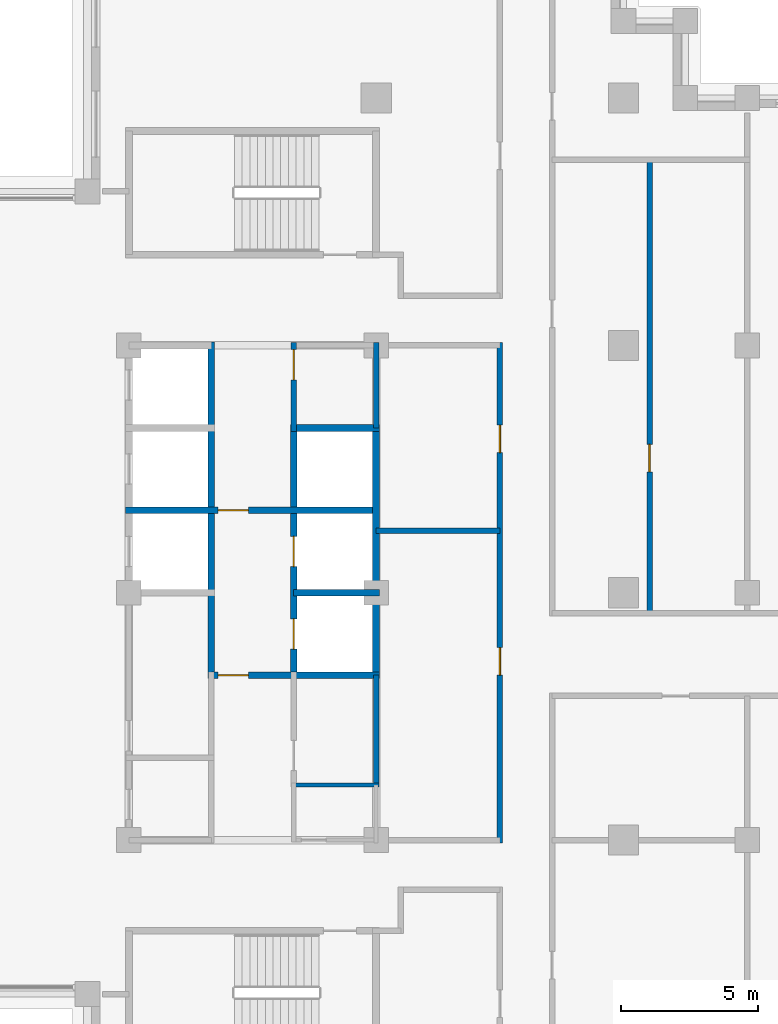
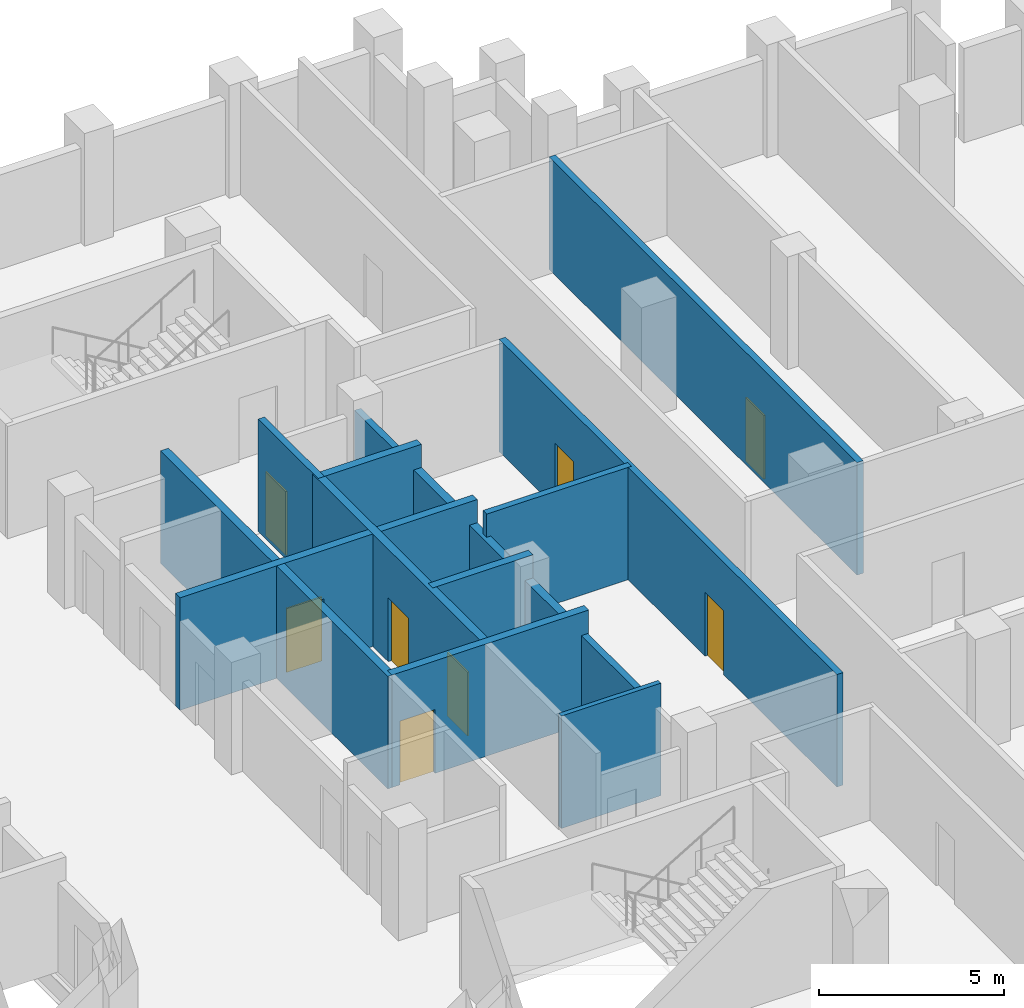
# One storey, part 9 of 16: 14 walls, 8 doors, 8 openings.
"""IFC4 building model written with IfcOpenShell, lengths in metres."""

import ifcopenshell
import ifcopenshell.guid

model = None  # the IFC model being written
_history = None  # IfcOwnerHistory: only IFC2X3 demands one
_inside = {}  # id of a spatial element -> (the spatial element, [elements in it])
_under = {}  # id of a project, library or spatial element -> (it, [spatial elements below it])
_declared = {}  # id of a project -> (the project, [libraries it declares])
_typed = {}  # id of a type object -> (the type object, [elements of that type])
_made_of = {}  # id of a material, layer set ... -> (it, [elements and type objects made of it])


def new_model(schema):
    """Start an empty IFC model of exactly this schema.

    Asked for "IFC4X3", IfcOpenShell would pick the latest addendum, in which some entities
    have other attributes; the version numbers below select the first issue.
    IFC2X3 requires an IfcOwnerHistory on every rooted entity: one is made here for all.
    """
    global model, _history
    if schema == "IFC4X3":
        model = ifcopenshell.file(schema_version=(4, 3, 0, 0))
    else:
        model = ifcopenshell.file(schema=schema)
    _inside.clear()
    _under.clear()
    _declared.clear()
    _typed.clear()
    _made_of.clear()
    _history = None
    if model.schema == "IFC2X3":
        org = make("IfcOrganization", Name="unknown")
        user = make(
            "IfcPersonAndOrganization",
            ThePerson=make("IfcPerson", FamilyName="unknown"),
            TheOrganization=org,
        )
        app = make(
            "IfcApplication",
            ApplicationDeveloper=org,
            Version="unknown",
            ApplicationFullName="unknown",
            ApplicationIdentifier="unknown",
        )
        _history = make(
            "IfcOwnerHistory",
            OwningUser=user,
            OwningApplication=app,
            ChangeAction="ADDED",
            CreationDate=0,
        )
    return model


def make(cls, **values):
    """One entity of the class cls with the attributes given. An attribute that is None is left unset."""
    return model.create_entity(
        cls, **{name: value for name, value in values.items() if value is not None}
    )


def rooted(cls, **values):
    """An entity with a GlobalId (a new one), such as an element, a storey or a relation."""
    return make(cls, GlobalId=ifcopenshell.guid.new(), OwnerHistory=_history, **values)


def si_unit(unit_type, name, prefix=None):
    """IfcSIUnit, for example si_unit("LENGTHUNIT", "METRE", prefix="MILLI")."""
    return make("IfcSIUnit", UnitType=unit_type, Prefix=prefix, Name=name)


def assignment(units):
    """IfcUnitAssignment: the units of a project."""
    return None if units is None else make("IfcUnitAssignment", Units=units)


def point(xyz):
    """IfcCartesianPoint."""
    return None if xyz is None else make("IfcCartesianPoint", Coordinates=xyz)


def direction(xyz):
    """IfcDirection."""
    return None if xyz is None else make("IfcDirection", DirectionRatios=xyz)


def frame(location, z_axis=None, x_axis=None):
    """IfcAxis2Placement3D, a coordinate frame: its origin and axes. An axis left out is left unset."""
    return make(
        "IfcAxis2Placement3D",
        Location=point(location),
        Axis=direction(z_axis),
        RefDirection=direction(x_axis),
    )


def frame_2d(location, x_axis=None):
    """IfcAxis2Placement2D, a coordinate frame in the plane: its origin and x axis."""
    return make(
        "IfcAxis2Placement2D", Location=point(location), RefDirection=direction(x_axis)
    )


def origin():
    """The frame at (0, 0, 0) with its axes left unset."""
    return frame((0.0, 0.0, 0.0))


def place(relative_to, where):
    """IfcLocalPlacement: puts the frame where relative to a parent placement (None: the world)."""
    return make(
        "IfcLocalPlacement", PlacementRelTo=relative_to, RelativePlacement=where
    )


def context(
    kind, dimensions, precision=None, world=None, true_north=None, identifier=None
):
    """IfcGeometricRepresentationContext, for example the 3D "Model" context."""
    return make(
        "IfcGeometricRepresentationContext",
        ContextIdentifier=identifier,
        ContextType=kind,
        CoordinateSpaceDimension=dimensions,
        Precision=precision,
        WorldCoordinateSystem=world,
        TrueNorth=true_north,
    )


def subcontext(parent, identifier, kind, view, scale=None):
    """IfcGeometricRepresentationSubContext, for example "Body" below "Model"."""
    return make(
        "IfcGeometricRepresentationSubContext",
        ContextIdentifier=identifier,
        ContextType=kind,
        ParentContext=parent,
        TargetScale=scale,
        TargetView=view,
    )


def project(units=None, contexts=None):
    """IfcProject with its units and contexts."""
    return rooted(
        "IfcProject",
        Name="project",
        RepresentationContexts=contexts,
        UnitsInContext=assignment(units),
    )


def spatial(cls, under=None, at=None, **own):
    """A site, building, storey or space (cls), placed at a placement, below another one or the project."""
    s = rooted(cls, ObjectPlacement=at, **own)
    if under is not None:
        _under.setdefault(under.id(), (under, []))[1].append(s)
    return s


def profile(cls, at=None, kind="AREA", **sizes):
    """A parametric profile (cls). Its sizes go by their IFC names, for example OverallWidth=200.0."""
    return make(cls, ProfileType=kind, Position=at, **sizes)


def rectangle(**sizes):
    """IfcRectangleProfileDef."""
    return profile("IfcRectangleProfileDef", **sizes)


def extrude(swept, where, along, depth):
    """IfcExtrudedAreaSolid: the profile swept, set in the frame where, extruded along a direction by depth."""
    return make(
        "IfcExtrudedAreaSolid",
        SweptArea=swept,
        Position=where,
        ExtrudedDirection=direction(along),
        Depth=depth,
    )


def shape(context_of_items, identifier, shape_type, items):
    """IfcShapeRepresentation: the items that make up one representation, for example the "Body"."""
    return make(
        "IfcShapeRepresentation",
        ContextOfItems=context_of_items,
        RepresentationIdentifier=identifier,
        RepresentationType=shape_type,
        Items=items,
    )


def material(Name=None, Category=None):
    """IfcMaterial."""
    return make("IfcMaterial", Name=Name, Category=Category)


def layer(
    of_material, thickness, ventilated=None, Name=None, Category=None, Priority=None
):
    """IfcMaterialLayer: one layer of a wall or slab, of a material (None: an air gap)."""
    return make(
        "IfcMaterialLayer",
        Material=of_material,
        LayerThickness=thickness,
        IsVentilated=ventilated,
        Name=Name,
        Category=Category,
        Priority=Priority,
    )


def layer_set(layers, Name=None):
    """IfcMaterialLayerSet."""
    return make("IfcMaterialLayerSet", MaterialLayers=layers, LayerSetName=Name)


def made_of(thing, what):
    """Note that an element or type object is made of a material, layer set ...; save() writes the relation."""
    if what is not None:
        _made_of.setdefault(what.id(), (what, []))[1].append(thing)
    return thing


def type_object(cls, material=None, **own):
    """A type object (cls), such as IfcWallType, which elements share."""
    return made_of(rooted(cls, **own), material)


def element(
    cls,
    number,
    at=None,
    inside=None,
    cuts=None,
    type_object=None,
    material=None,
    context=None,
    identifier="Body",
    shape_type=None,
    held_by="IfcProductDefinitionShape",
    body=None,
    shapes=None,
    **own,
):
    """One element of the class cls, such as IfcWall. Its Tag is "e" and its number.

    at: its placement. inside: the storey or other place that contains it. cuts: it is an
    opening in that element (IfcRelVoidsElement). A single representation is given by context,
    identifier, shape_type and body (its items); several are given by shapes. held_by: the class
    of the entity that holds the representations. save() writes the other relations.
    """
    e = rooted(cls, Tag="e%d" % number, ObjectPlacement=at, **own)
    if body is not None:
        shapes = [shape(context, identifier, shape_type, body)]
    if shapes is not None:
        e.Representation = make(held_by, Representations=shapes)
    if inside is not None:
        _inside.setdefault(inside.id(), (inside, []))[1].append(e)
    if cuts is not None:
        rooted(
            "IfcRelVoidsElement", RelatingBuildingElement=cuts, RelatedOpeningElement=e
        )
    if type_object is not None:
        _typed.setdefault(type_object.id(), (type_object, []))[1].append(e)
    return made_of(e, material)


def fill(opening, filler):
    """IfcRelFillsElement: the door or window that sits in an opening."""
    return rooted(
        "IfcRelFillsElement",
        RelatingOpeningElement=opening,
        RelatedBuildingElement=filler,
    )


def aggregate(whole, parts):
    """IfcRelAggregates: a whole, such as a stair, and the parts it consists of."""
    return rooted("IfcRelAggregates", RelatingObject=whole, RelatedObjects=parts)


def save(model, path):
    """Write the relations noted so far, then the file.

    IfcRelAggregates (storeys below a building ...), IfcRelContainedInSpatialStructure (elements
    in a storey), IfcRelDefinesByType, IfcRelAssociatesMaterial and IfcRelDeclares: one each for
    every whole, place, type object, material and project.
    """
    for whole, parts in _under.values():
        aggregate(whole, parts)
    for where, things in _inside.values():
        rooted(
            "IfcRelContainedInSpatialStructure",
            RelatedElements=things,
            RelatingStructure=where,
        )
    for kind, things in _typed.values():
        rooted("IfcRelDefinesByType", RelatedObjects=things, RelatingType=kind)
    for what, things in _made_of.values():
        rooted("IfcRelAssociatesMaterial", RelatedObjects=things, RelatingMaterial=what)
    for by, libraries in _declared.values():
        rooted("IfcRelDeclares", RelatingContext=by, RelatedDefinitions=libraries)
    model.write(path)


model = new_model("IFC4")

# Units and contexts
model_context = context("Model", 3, precision=1e-05, world=origin(), true_north=direction((0.0, 1.0)))
body_context = subcontext(model_context, "Body", "Model", "MODEL_VIEW")
ifc_project = project(units=[si_unit("LENGTHUNIT", "METRE"), si_unit("AREAUNIT", "SQUARE_METRE"), si_unit("VOLUMEUNIT", "CUBIC_METRE"), si_unit("PLANEANGLEUNIT", "RADIAN"), si_unit("MASSUNIT", "GRAM", prefix="KILO")], contexts=[model_context])

# Site, building, storey
site_placement = place(None, origin())
site = spatial("IfcSite", under=ifc_project, at=site_placement, CompositionType="ELEMENT")
building_placement = place(site_placement, origin())
building = spatial("IfcBuilding", under=site, at=building_placement, Name="Corbelhall Arena Tower", CompositionType="ELEMENT")
storey_placement = place(building_placement, frame((0.0, 0.0, 150.0)))
storey = spatial("IfcBuildingStorey", under=building, at=storey_placement, Name="L29", CompositionType="ELEMENT", Elevation=150.0)

# Wall
ifc_material_1 = material(Name="Gypsum board on steel stud, acoustic", Category="steel")
ifc_layer_1 = layer(ifc_material_1, 0.199951171875)
ifc_layer_set_1 = layer_set([ifc_layer_1], Name="IN-W-DM200")
wall_type_1 = type_object("IfcWallType", Name="IN-W-DM200", PredefinedType="PARTITIONING", material=ifc_layer_set_1)
wall_1_placement = place(storey_placement, frame((13.5, 2.25, 0.0), z_axis=(0.0, 0.0, 1.0), x_axis=(1.0, 0.0, 0.0)))
element("IfcWall", 1, at=wall_1_placement, inside=storey, type_object=wall_type_1, Name="Partition 039", PredefinedType="PARTITIONING", context=body_context, shape_type="SweptSolid", body=[
    extrude(rectangle(XDim=4.5, YDim=0.199951171875, at=frame_2d((2.25, 0.0))), origin(), (0.0, 0.0, 1.0), 3.699951171875),
])

# Wall, openings, doors
wall_2_placement = place(storey_placement, frame((18.0, -9.10009765625, 0.0), z_axis=(0.0, 0.0, 1.0), x_axis=(0.0, 1.0, 0.0)))
wall_2 = element("IfcWall", 2, at=wall_2_placement, inside=storey, type_object=wall_type_1, Name="Partition 047", PredefinedType="PARTITIONING", context=body_context, shape_type="SweptSolid", body=[
    extrude(rectangle(XDim=18.2001953125, YDim=0.199951171875, at=frame_2d((9.10009765625, 0.0))), origin(), (0.0, 0.0, 1.0), 3.699951171875),
])
opening_1_placement = place(wall_2_placement, frame((6.10009765625, 0.0, 0.0)))
opening_1 = element("IfcOpeningElement", 3, at=opening_1_placement, cuts=wall_2, Name="Opening 08025", PredefinedType="OPENING", context=body_context, shape_type="SweptSolid", body=[
    extrude(rectangle(XDim=1.0, YDim=2.10009765625, at=frame_2d((0.5, 1.050048828125))), frame((0.0, 0.10009765625, 0.0), z_axis=(0.0, -1.0, 0.0), x_axis=(1.0, 0.0, 0.0)), (0.0, 0.0, 1.0), 0.199951171875),
])
opening_2_placement = place(wall_2_placement, frame((14.199951171875, 0.0, 0.0)))
opening_2 = element("IfcOpeningElement", 4, at=opening_2_placement, cuts=wall_2, Name="Opening 08026", PredefinedType="OPENING", context=body_context, shape_type="SweptSolid", body=[
    extrude(rectangle(XDim=1.0, YDim=2.10009765625, at=frame_2d((0.5, 1.050048828125))), frame((0.0, 0.10009765625, 0.0), z_axis=(0.0, -1.0, 0.0), x_axis=(1.0, 0.0, 0.0)), (0.0, 0.0, 1.0), 0.199951171875),
])
ifc_material_2 = material(Name="Steel door set", Category="steel")
door_type_1 = type_object("IfcDoorType", Name="IN-D-SW100", OperationType="NOTDEFINED", PredefinedType="DOOR", material=ifc_material_2)
door_1_placement = place(opening_1_placement, origin())
door_1 = element("IfcDoor", 5, at=door_1_placement, inside=storey, type_object=door_type_1, Name="Door 025", OperationType="SINGLE_SWING_RIGHT", OverallHeight=2.10009765625, OverallWidth=1.0, PredefinedType="DOOR", context=body_context, shape_type="SweptSolid", body=[
    extrude(rectangle(XDim=1.0, YDim=2.10009765625, at=frame_2d((0.5, 1.050048828125))), frame((0.0, 0.02490234375, 0.0), z_axis=(0.0, -1.0, 0.0), x_axis=(1.0, 0.0, 0.0)), (0.0, 0.0, 1.0), 0.050048828125),
])
fill(opening_1, door_1)
door_2_placement = place(opening_2_placement, origin())
door_2 = element("IfcDoor", 6, at=door_2_placement, inside=storey, type_object=door_type_1, Name="Door 026", OperationType="SINGLE_SWING_LEFT", OverallHeight=2.10009765625, OverallWidth=1.0, PredefinedType="DOOR", context=body_context, shape_type="SweptSolid", body=[
    extrude(rectangle(XDim=1.0, YDim=2.10009765625, at=frame_2d((0.5, 1.050048828125))), frame((0.0, 0.02490234375, 0.0), z_axis=(0.0, -1.0, 0.0), x_axis=(1.0, 0.0, 0.0)), (0.0, 0.0, 1.0), 0.050048828125),
])
fill(opening_2, door_2)

# Wall, opening, door
wall_3_placement = place(storey_placement, frame((23.449951171875, 15.85009765625, 0.0), z_axis=(0.0, 0.0, 1.0), x_axis=(0.0, -1.0, 0.0)))
wall_3 = element("IfcWall", 7, at=wall_3_placement, inside=storey, type_object=wall_type_1, Name="Partition 055", PredefinedType="PARTITIONING", context=body_context, shape_type="SweptSolid", body=[
    extrude(rectangle(XDim=16.60009765625, YDim=0.199951171875, at=frame_2d((8.300048828125, 0.0))), origin(), (0.0, 0.0, 1.0), 3.699951171875),
])
opening_3_placement = place(wall_3_placement, frame((10.449951171875, 0.0, 0.0)))
opening_3 = element("IfcOpeningElement", 8, at=opening_3_placement, cuts=wall_3, Name="Opening 08037", PredefinedType="OPENING", context=body_context, shape_type="SweptSolid", body=[
    extrude(rectangle(XDim=1.0, YDim=2.10009765625, at=frame_2d((0.5, 1.050048828125))), frame((0.0, 0.10009765625, 0.0), z_axis=(0.0, -1.0, 0.0), x_axis=(1.0, 0.0, 0.0)), (0.0, 0.0, 1.0), 0.199951171875),
])
door_3_placement = place(opening_3_placement, origin())
door_3 = element("IfcDoor", 9, at=door_3_placement, inside=storey, type_object=door_type_1, Name="Door 037", OperationType="SINGLE_SWING_RIGHT", OverallHeight=2.10009765625, OverallWidth=1.0, PredefinedType="DOOR", context=body_context, shape_type="SweptSolid", body=[
    extrude(rectangle(XDim=1.0, YDim=2.10009765625, at=frame_2d((0.5, 1.050048828125))), frame((0.0, 0.02490234375, 0.0), z_axis=(0.0, -1.0, 0.0), x_axis=(1.0, 0.0, 0.0)), (0.0, 0.0, 1.0), 0.050048828125),
])
fill(opening_3, door_3)

ifc_material_3 = material(Name="Concrete block wall", Category="concrete")
ifc_layer_2 = layer(ifc_material_3, 0.199951171875)
ifc_layer_set_2 = layer_set([ifc_layer_2], Name="IN-W-RS200")
wall_type_2 = type_object("IfcWallType", Name="IN-W-RS200", PredefinedType="SOLIDWALL", material=ifc_layer_set_2)
wall_4_placement = place(storey_placement, frame((10.5, 9.10009765625, 0.0), z_axis=(0.0, 0.0, 1.0), x_axis=(0.0, -1.0, 0.0)))
wall_4 = element("IfcWall", 10, at=wall_4_placement, inside=storey, type_object=wall_type_2, Name="Partition 077", PredefinedType="SOLIDWALL", context=body_context, shape_type="SweptSolid", body=[
    extrude(rectangle(XDim=3.22509765625, YDim=0.199951171875, at=frame_2d((1.612548828125, 0.0))), origin(), (0.0, 0.0, 1.0), 3.699951171875),
])
opening_4_placement = place(wall_4_placement, frame((0.25, 0.0, 0.0)))
opening_4 = element("IfcOpeningElement", 11, at=opening_4_placement, cuts=wall_4, Name="Opening 08014", PredefinedType="OPENING", context=body_context, shape_type="SweptSolid", body=[
    extrude(rectangle(XDim=1.10009765625, YDim=2.10009765625, at=frame_2d((0.550048828125, 1.050048828125))), frame((0.0, 0.10009765625, 0.0), z_axis=(0.0, -1.0, 0.0), x_axis=(1.0, 0.0, 0.0)), (0.0, 0.0, 1.0), 0.199951171875),
])
door_type_2 = type_object("IfcDoorType", Name="IN-D-FD110", OperationType="NOTDEFINED", PredefinedType="DOOR", material=ifc_material_2)
door_4_placement = place(opening_4_placement, origin())
door_4 = element("IfcDoor", 12, at=door_4_placement, inside=storey, type_object=door_type_2, Name="Door 014", OperationType="SINGLE_SWING_LEFT", OverallHeight=2.10009765625, OverallWidth=1.10009765625, PredefinedType="DOOR", context=body_context, shape_type="SweptSolid", body=[
    extrude(rectangle(XDim=1.10009765625, YDim=2.10009765625, at=frame_2d((0.550048828125, 1.050048828125))), frame((0.0, 0.02490234375, 0.0), z_axis=(0.0, -1.0, 0.0), x_axis=(1.0, 0.0, 0.0)), (0.0, 0.0, 1.0), 0.050048828125),
])
fill(opening_4, door_4)

# Walls
ifc_layer_3 = layer(ifc_material_3, 0.199951171875)
ifc_layer_set_3 = layer_set([ifc_layer_3], Name="IN-W-RS200 under beam 762 mm")
wall_type_3 = type_object("IfcWallType", Name="IN-W-RS200 under beam 762 mm", PredefinedType="SOLIDWALL", material=ifc_layer_set_3)
wall_5_placement = place(storey_placement, frame((13.5, -3.0, 0.0), z_axis=(0.0, 0.0, 1.0), x_axis=(0.0, -1.0, 0.0)))
element("IfcWall", 13, at=wall_5_placement, inside=storey, type_object=wall_type_3, Name="Partition 078", PredefinedType="SOLIDWALL", context=body_context, shape_type="SweptSolid", body=[
    extrude(rectangle(XDim=4.0, YDim=0.199951171875, at=frame_2d((2.0, 0.0))), origin(), (0.0, 0.0, 1.0), 2.93798828125),
])
wall_6_placement = place(storey_placement, frame((13.5, 9.10009765625, 0.0), z_axis=(0.0, 0.0, 1.0), x_axis=(0.0, -1.0, 0.0)))
element("IfcWall", 14, at=wall_6_placement, inside=storey, type_object=wall_type_3, Name="Partition 079", PredefinedType="SOLIDWALL", context=body_context, shape_type="SweptSolid", body=[
    extrude(rectangle(XDim=3.10009765625, YDim=0.199951171875, at=frame_2d((1.550048828125, 0.0))), origin(), (0.0, 0.0, 1.0), 2.93798828125),
])

# Wall, opening, door
ifc_material_4 = material(Name="Concrete C40/50", Category="concrete")
ifc_layer_4 = layer(ifc_material_4, 0.25)
ifc_layer_set_4 = layer_set([ifc_layer_4], Name="IN-W-SH250")
wall_type_4 = type_object("IfcWallType", Name="IN-W-SH250", PredefinedType="SOLIDWALL", material=ifc_layer_set_4)
wall_7_placement = place(storey_placement, frame((4.375, 3.0, 0.0), z_axis=(0.0, 0.0, 1.0), x_axis=(1.0, 0.0, 0.0)))
wall_7 = element("IfcWall", 15, at=wall_7_placement, inside=storey, type_object=wall_type_4, Name="Shaft wall 091", PredefinedType="SOLIDWALL", context=body_context, shape_type="SweptSolid", body=[
    extrude(rectangle(XDim=9.25, YDim=0.25, at=frame_2d((4.625, 0.0))), origin(), (0.0, 0.0, 1.0), 3.699951171875),
])
opening_5_placement = place(wall_7_placement, frame((3.375, 0.0, 0.0)))
opening_5 = element("IfcOpeningElement", 16, at=opening_5_placement, cuts=wall_7, Name="Opening 08011", PredefinedType="OPENING", context=body_context, shape_type="SweptSolid", body=[
    extrude(rectangle(XDim=1.10009765625, YDim=2.10009765625, at=frame_2d((0.550048828125, 1.050048828125))), frame((0.0, 0.125, 0.0), z_axis=(0.0, -1.0, 0.0), x_axis=(1.0, 0.0, 0.0)), (0.0, 0.0, 1.0), 0.25),
])
door_5_placement = place(opening_5_placement, origin())
door_5 = element("IfcDoor", 17, at=door_5_placement, inside=storey, type_object=door_type_2, Name="Door 011", OperationType="SINGLE_SWING_RIGHT", OverallHeight=2.10009765625, OverallWidth=1.10009765625, PredefinedType="DOOR", context=body_context, shape_type="SweptSolid", body=[
    extrude(rectangle(XDim=1.10009765625, YDim=2.10009765625, at=frame_2d((0.550048828125, 1.050048828125))), frame((0.0, 0.02490234375, 0.0), z_axis=(0.0, -1.0, 0.0), x_axis=(1.0, 0.0, 0.0)), (0.0, 0.0, 1.0), 0.050048828125),
])
fill(opening_5, door_5)

wall_8_placement = place(storey_placement, frame((7.5, -3.0, 0.0), z_axis=(0.0, 0.0, 1.0), x_axis=(1.0, 0.0, 0.0)))
wall_8 = element("IfcWall", 18, at=wall_8_placement, inside=storey, type_object=wall_type_4, Name="Shaft wall 095", PredefinedType="SOLIDWALL", context=body_context, shape_type="SweptSolid", body=[
    extrude(rectangle(XDim=6.125, YDim=0.25, at=frame_2d((3.0625, 0.0))), origin(), (0.0, 0.0, 1.0), 3.699951171875),
])
opening_6_placement = place(wall_8_placement, frame((0.25, 0.0, 0.0)))
opening_6 = element("IfcOpeningElement", 19, at=opening_6_placement, cuts=wall_8, Name="Opening 08010", PredefinedType="OPENING", context=body_context, shape_type="SweptSolid", body=[
    extrude(rectangle(XDim=1.10009765625, YDim=2.10009765625, at=frame_2d((0.550048828125, 1.050048828125))), frame((0.0, 0.125, 0.0), z_axis=(0.0, -1.0, 0.0), x_axis=(1.0, 0.0, 0.0)), (0.0, 0.0, 1.0), 0.25),
])
door_6_placement = place(opening_6_placement, origin())
door_6 = element("IfcDoor", 20, at=door_6_placement, inside=storey, type_object=door_type_2, Name="Door 010", OperationType="SINGLE_SWING_LEFT", OverallHeight=2.10009765625, OverallWidth=1.10009765625, PredefinedType="DOOR", context=body_context, shape_type="SweptSolid", body=[
    extrude(rectangle(XDim=1.10009765625, YDim=2.10009765625, at=frame_2d((0.550048828125, 1.050048828125))), frame((0.0, 0.02490234375, 0.0), z_axis=(0.0, -1.0, 0.0), x_axis=(1.0, 0.0, 0.0)), (0.0, 0.0, 1.0), 0.050048828125),
])
fill(opening_6, door_6)

# Walls
wall_9_placement = place(storey_placement, frame((7.5, 9.125, 0.0), z_axis=(0.0, 0.0, 1.0), x_axis=(0.0, -1.0, 0.0)))
element("IfcWall", 21, at=wall_9_placement, inside=storey, type_object=wall_type_4, Name="Shaft wall 096", PredefinedType="SOLIDWALL", context=body_context, shape_type="SweptSolid", body=[
    extrude(rectangle(XDim=12.25, YDim=0.25, at=frame_2d((6.125, 0.0))), origin(), (0.0, 0.0, 1.0), 3.699951171875),
])
wall_10_placement = place(storey_placement, frame((10.5, 0.0, 0.0), z_axis=(0.0, 0.0, 1.0), x_axis=(1.0, 0.0, 0.0)))
element("IfcWall", 22, at=wall_10_placement, inside=storey, type_object=wall_type_4, Name="Shaft wall 097", PredefinedType="SOLIDWALL", context=body_context, shape_type="SweptSolid", body=[
    extrude(rectangle(XDim=3.125, YDim=0.25, at=frame_2d((1.5625, 0.0))), origin(), (0.0, 0.0, 1.0), 3.699951171875),
])

# Wall, openings, doors
wall_11_placement = place(storey_placement, frame((10.5, 6.125, 0.0), z_axis=(0.0, 0.0, 1.0), x_axis=(0.0, -1.0, 0.0)))
wall_11 = element("IfcWall", 23, at=wall_11_placement, inside=storey, type_object=wall_type_4, Name="Shaft wall 098", PredefinedType="SOLIDWALL", context=body_context, shape_type="SweptSolid", body=[
    extrude(rectangle(XDim=9.25, YDim=0.25, at=frame_2d((4.625, 0.0))), origin(), (0.0, 0.0, 1.0), 3.699951171875),
])
opening_7_placement = place(wall_11_placement, frame((7.074951171875, 0.0, 0.0)))
opening_7 = element("IfcOpeningElement", 24, at=opening_7_placement, cuts=wall_11, Name="Opening LD", PredefinedType="OPENING", context=body_context, shape_type="SweptSolid", body=[
    extrude(rectangle(XDim=1.10009765625, YDim=2.10009765625, at=frame_2d((0.550048828125, 1.050048828125))), frame((0.0, 0.125, 0.0), z_axis=(0.0, -1.0, 0.0), x_axis=(1.0, 0.0, 0.0)), (0.0, 0.0, 1.0), 0.25),
])
opening_8_placement = place(wall_11_placement, frame((4.074951171875, 0.0, 0.0)))
opening_8 = element("IfcOpeningElement", 25, at=opening_8_placement, cuts=wall_11, Name="Opening LD", PredefinedType="OPENING", context=body_context, shape_type="SweptSolid", body=[
    extrude(rectangle(XDim=1.10009765625, YDim=2.10009765625, at=frame_2d((0.550048828125, 1.050048828125))), frame((0.0, 0.125, 0.0), z_axis=(0.0, -1.0, 0.0), x_axis=(1.0, 0.0, 0.0)), (0.0, 0.0, 1.0), 0.25),
])
door_type_3 = type_object("IfcDoorType", Name="IN-D-LD110", OperationType="NOTDEFINED", PredefinedType="DOOR", material=ifc_material_2)
door_7_placement = place(opening_7_placement, origin())
door_7 = element("IfcDoor", 26, at=door_7_placement, inside=storey, type_object=door_type_3, Name="Landing door E3", OperationType="SLIDING_TO_LEFT", OverallHeight=2.10009765625, OverallWidth=1.10009765625, PredefinedType="DOOR", context=body_context, shape_type="SweptSolid", body=[
    extrude(rectangle(XDim=1.10009765625, YDim=2.10009765625, at=frame_2d((0.550048828125, 1.050048828125))), frame((0.0, 0.02490234375, 0.0), z_axis=(0.0, -1.0, 0.0), x_axis=(1.0, 0.0, 0.0)), (0.0, 0.0, 1.0), 0.050048828125),
])
fill(opening_7, door_7)
door_8_placement = place(opening_8_placement, origin())
door_8 = element("IfcDoor", 27, at=door_8_placement, inside=storey, type_object=door_type_3, Name="Landing door E4", OperationType="SLIDING_TO_LEFT", OverallHeight=2.10009765625, OverallWidth=1.10009765625, PredefinedType="DOOR", context=body_context, shape_type="SweptSolid", body=[
    extrude(rectangle(XDim=1.10009765625, YDim=2.10009765625, at=frame_2d((0.550048828125, 1.050048828125))), frame((0.0, 0.02490234375, 0.0), z_axis=(0.0, -1.0, 0.0), x_axis=(1.0, 0.0, 0.0)), (0.0, 0.0, 1.0), 0.050048828125),
])
fill(opening_8, door_8)

# Walls
wall_12_placement = place(storey_placement, frame((10.5, 6.0, 0.0), z_axis=(0.0, 0.0, 1.0), x_axis=(1.0, 0.0, 0.0)))
element("IfcWall", 28, at=wall_12_placement, inside=storey, type_object=wall_type_4, Name="Shaft wall 099", PredefinedType="SOLIDWALL", context=body_context, shape_type="SweptSolid", body=[
    extrude(rectangle(XDim=3.125, YDim=0.25, at=frame_2d((1.5625, 0.0))), origin(), (0.0, 0.0, 1.0), 3.699951171875),
])
ifc_layer_5 = layer(ifc_material_4, 0.25)
ifc_layer_set_5 = layer_set([ifc_layer_5], Name="IN-W-SH250 under beam 762 mm")
wall_type_5 = type_object("IfcWallType", Name="IN-W-SH250 under beam 762 mm", PredefinedType="SOLIDWALL", material=ifc_layer_set_5)
wall_13_placement = place(storey_placement, frame((13.5, 6.0, 0.0), z_axis=(0.0, 0.0, 1.0), x_axis=(0.0, -1.0, 0.0)))
element("IfcWall", 29, at=wall_13_placement, inside=storey, type_object=wall_type_5, Name="Shaft wall 100", PredefinedType="SOLIDWALL", context=body_context, shape_type="SweptSolid", body=[
    extrude(rectangle(XDim=9.0, YDim=0.25, at=frame_2d((4.5, 0.0))), origin(), (0.0, 0.0, 1.0), 2.93798828125),
])
ifc_material_5 = material(Name="Gypsum board on steel stud, moisture resistant", Category="steel")
ifc_layer_6 = layer(ifc_material_5, 0.14990234375)
ifc_layer_set_6 = layer_set([ifc_layer_6], Name="IN-W-WC150")
wall_type_6 = type_object("IfcWallType", Name="IN-W-WC150", PredefinedType="PARTITIONING", material=ifc_layer_set_6)
wall_14_placement = place(storey_placement, frame((10.5, -7.0, 0.0), z_axis=(0.0, 0.0, 1.0), x_axis=(1.0, 0.0, 0.0)))
element("IfcWall", 30, at=wall_14_placement, inside=storey, type_object=wall_type_6, Name="Partition 135", PredefinedType="PARTITIONING", context=body_context, shape_type="SweptSolid", body=[
    extrude(rectangle(XDim=3.10009765625, YDim=0.14990234375, at=frame_2d((1.550048828125, 0.0))), origin(), (0.0, 0.0, 1.0), 3.699951171875),
])

save(model, "model.ifc")
